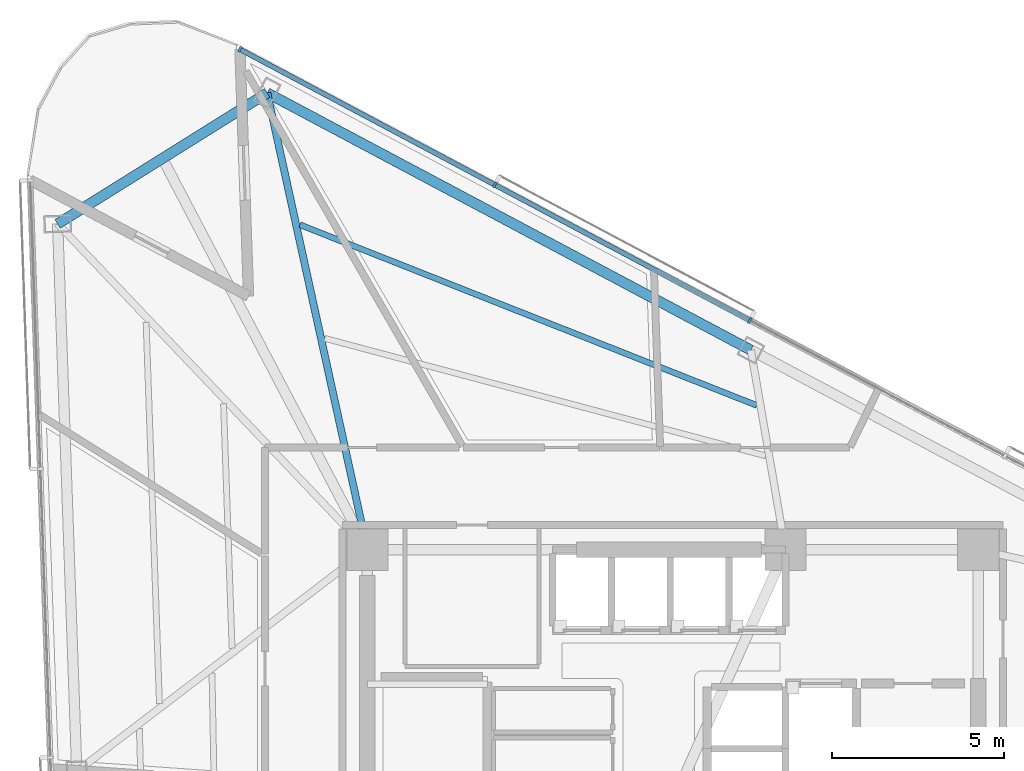
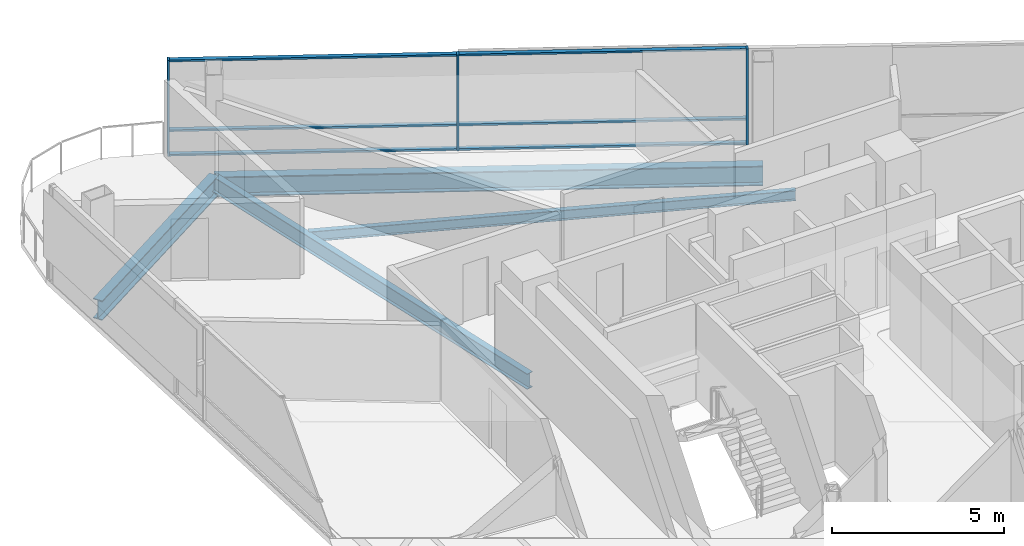
# One storey, part 9 of 20: 9 members, 4 beams, 1 element without a shape of its own.
"""IFC4 building model written with IfcOpenShell, lengths in metres."""

from ifc_helpers import new_model, si_unit, direction, frame, origin, origin_2d, place, context, subcontext, project, spatial, rectangle, i_section, extrude, material, layer, layer_set, material_profile, profile_set, type_object, element, aggregate, save


model = new_model("IFC4")

# Units and contexts
model_context = context("Model", 3, precision=1e-05, world=origin(), true_north=direction((0.0, 1.0)))
body_context = subcontext(model_context, "Body", "Model", "MODEL_VIEW")
ifc_project = project(units=[si_unit("LENGTHUNIT", "METRE"), si_unit("AREAUNIT", "SQUARE_METRE"), si_unit("VOLUMEUNIT", "CUBIC_METRE"), si_unit("PLANEANGLEUNIT", "RADIAN"), si_unit("MASSUNIT", "GRAM", prefix="KILO")], contexts=[model_context])

# Site, building, storey
site_placement = place(None, origin())
site = spatial("IfcSite", under=ifc_project, at=site_placement, CompositionType="ELEMENT")
building_placement = place(site_placement, origin())
building = spatial("IfcBuilding", under=site, at=building_placement, Name="Tharavind Bronze Gate", CompositionType="ELEMENT")
storey_placement = place(building_placement, frame((0.0, 0.0, 149.60009765625)))
storey = spatial("IfcBuildingStorey", under=building, at=storey_placement, Name="L38", CompositionType="ELEMENT", Elevation=149.60009765625)

# Curtain wall, members
ifc_material_1 = material(Name="Anodised Bronze Aluminium", Category="aluminium")
ifc_layer = layer(ifc_material_1, 0.219970703125)
ifc_layer_set = layer_set([ifc_layer], Name="Anodised Bronze Aluminium")
curtain_wall_type = type_object("IfcCurtainWallType", Name="UNITISED CURTAIN WALL MID OFFICE", PredefinedType="USERDEFINED", material=ifc_layer_set)
curtain_wall_placement = place(storey_placement, origin())
curtain_wall = element("IfcCurtainWall", 1, at=curtain_wall_placement, inside=storey, type_object=curtain_wall_type, Name="L38 unitised curtain wall mid office CW-L38-S3", ObjectType="UNITISED CURTAIN WALL", PredefinedType="USERDEFINED")
member_type_1 = type_object("IfcMemberType", Name="CURTAIN WALL BRONZE MULLION 65X180", PredefinedType="MULLION", material=ifc_material_1)
member_1_placement = place(storey_placement, frame((2.245361328125, 14.279052734375, 0.0), z_axis=(0.0, 0.0, 1.0), x_axis=(-0.882947592859, 0.469471562786, 0.0)))
member_1 = element("IfcMember", 2, at=member_1_placement, type_object=member_type_1, Name="CW-L38-S3 mullion 5", PredefinedType="MULLION", context=body_context, shape_type="SweptSolid", body=[
    extrude(rectangle(XDim=0.06494140625, YDim=0.179931640625, at=origin_2d()), origin(), (0.0, 0.0, 1.0), 3.409912109375),
])
member_2_placement = place(storey_placement, frame((-5.184326171875, 18.2294921875, 0.0), z_axis=(0.0, 0.0, 1.0), x_axis=(-0.882947592859, 0.469471562786, 0.0)))
member_2 = element("IfcMember", 3, at=member_2_placement, type_object=member_type_1, Name="CW-L38-S3 mullion 6", PredefinedType="MULLION", context=body_context, shape_type="SweptSolid", body=[
    extrude(rectangle(XDim=0.06494140625, YDim=0.179931640625, at=origin_2d()), origin(), (0.0, 0.0, 1.0), 3.409912109375),
])
member_3_placement = place(storey_placement, frame((-12.614013671875, 22.179931640625, 0.0), z_axis=(0.0, 0.0, 1.0), x_axis=(-0.882947592859, 0.469471562786, 0.0)))
member_3 = element("IfcMember", 4, at=member_3_placement, type_object=member_type_1, Name="CW-L38-S3 mullion 7", PredefinedType="MULLION", context=body_context, shape_type="SweptSolid", body=[
    extrude(rectangle(XDim=0.06494140625, YDim=0.179931640625, at=origin_2d()), origin(), (0.0, 0.0, 1.0), 3.409912109375),
])
member_type_2 = type_object("IfcMemberType", Name="CURTAIN WALL BRONZE TRANSOM 65X140", PredefinedType="USERDEFINED", material=ifc_material_1)
member_4_placement = place(storey_placement, frame((-1.469482421875, 16.25439453125, 0.0), z_axis=(0.0, 0.0, 1.0), x_axis=(-0.882947592859, 0.469471562786, 0.0)))
member_4 = element("IfcMember", 5, at=member_4_placement, type_object=member_type_2, Name="CW-L38-S3 transom TB5", ObjectType="TRANSOM", PredefinedType="USERDEFINED", context=body_context, shape_type="SweptSolid", body=[
    extrude(rectangle(XDim=8.361572265625, YDim=0.139892578125, at=origin_2d()), origin(), (0.0, 0.0, 1.0), 0.06494140625),
])
member_5_placement = place(storey_placement, frame((-1.469482421875, 16.25439453125, 0.867431640625), z_axis=(0.0, 0.0, 1.0), x_axis=(-0.882947592859, 0.469471562786, 0.0)))
member_5 = element("IfcMember", 6, at=member_5_placement, type_object=member_type_2, Name="CW-L38-S3 transom TS5", ObjectType="TRANSOM", PredefinedType="USERDEFINED", context=body_context, shape_type="SweptSolid", body=[
    extrude(rectangle(XDim=8.361572265625, YDim=0.139892578125, at=origin_2d()), origin(), (0.0, 0.0, 1.0), 0.06494140625),
])
member_6_placement = place(storey_placement, frame((-1.469482421875, 16.25439453125, 3.344970703125), z_axis=(0.0, 0.0, 1.0), x_axis=(-0.882947592859, 0.469471562786, 0.0)))
member_6 = element("IfcMember", 7, at=member_6_placement, type_object=member_type_2, Name="CW-L38-S3 transom TT5", ObjectType="TRANSOM", PredefinedType="USERDEFINED", context=body_context, shape_type="SweptSolid", body=[
    extrude(rectangle(XDim=8.361572265625, YDim=0.139892578125, at=origin_2d()), origin(), (0.0, 0.0, 1.0), 0.06494140625),
])
member_7_placement = place(storey_placement, frame((-8.899169921875, 20.20458984375, 0.0), z_axis=(0.0, 0.0, 1.0), x_axis=(-0.882947592859, 0.469471562786, 0.0)))
member_7 = element("IfcMember", 8, at=member_7_placement, type_object=member_type_2, Name="CW-L38-S3 transom TB6", ObjectType="TRANSOM", PredefinedType="USERDEFINED", context=body_context, shape_type="SweptSolid", body=[
    extrude(rectangle(XDim=8.361572265625, YDim=0.139892578125, at=origin_2d()), origin(), (0.0, 0.0, 1.0), 0.06494140625),
])
member_8_placement = place(storey_placement, frame((-8.899169921875, 20.20458984375, 0.867431640625), z_axis=(0.0, 0.0, 1.0), x_axis=(-0.882947592859, 0.469471562786, 0.0)))
member_8 = element("IfcMember", 9, at=member_8_placement, type_object=member_type_2, Name="CW-L38-S3 transom TS6", ObjectType="TRANSOM", PredefinedType="USERDEFINED", context=body_context, shape_type="SweptSolid", body=[
    extrude(rectangle(XDim=8.361572265625, YDim=0.139892578125, at=origin_2d()), origin(), (0.0, 0.0, 1.0), 0.06494140625),
])
member_9_placement = place(storey_placement, frame((-8.899169921875, 20.20458984375, 3.344970703125), z_axis=(0.0, 0.0, 1.0), x_axis=(-0.882947592859, 0.469471562786, 0.0)))
member_9 = element("IfcMember", 10, at=member_9_placement, type_object=member_type_2, Name="CW-L38-S3 transom TT6", ObjectType="TRANSOM", PredefinedType="USERDEFINED", context=body_context, shape_type="SweptSolid", body=[
    extrude(rectangle(XDim=8.361572265625, YDim=0.139892578125, at=origin_2d()), origin(), (0.0, 0.0, 1.0), 0.06494140625),
])
aggregate(curtain_wall, [member_1, member_2, member_3, member_4, member_5, member_6, member_7, member_8, member_9])

# Beams
ifc_material_2 = material(Name="Steel S355", Category="steel")
ifc_material_profile_1 = material_profile(ifc_material_2, i_section(OverallWidth=0.2099609375, OverallDepth=0.550048828125, WebThickness=0.010986328125, FlangeThickness=0.01708984375, at=origin_2d()), Name="IPE550")
ifc_profile_set_1 = profile_set([ifc_material_profile_1], Name="Steel S355")
beam_type_1 = type_object("IfcBeamType", Name="PRIMARY GIRDER IPE550", PredefinedType="USERDEFINED", material=ifc_profile_set_1)
beam_1_placement = place(storey_placement, frame((-11.819091796875, 20.90771484375, -0.465087890625), z_axis=(0.21426760531, -0.976774996258, 0.0), x_axis=(0.976774996258, 0.21426760531, 0.0)))
element("IfcBeam", 11, at=beam_1_placement, inside=storey, type_object=beam_type_1, Name="L38 primary girder ipe550 BM-L38-RAD12", ObjectType="GIRDER", PredefinedType="USERDEFINED", context=body_context, shape_type="SweptSolid", body=[
    extrude(i_section(OverallWidth=0.2099609375, OverallDepth=0.550048828125, WebThickness=0.010986328125, FlangeThickness=0.01708984375, at=origin_2d()), origin(), (0.0, 0.0, 1.0), 13.6240234375),
])
ifc_material_profile_2 = material_profile(ifc_material_2, i_section(OverallWidth=0.300048828125, OverallDepth=0.699951171875, WebThickness=0.01708984375, FlangeThickness=0.031982421875, at=origin_2d()), Name="HE700B")
ifc_profile_set_2 = profile_set([ifc_material_profile_2], Name="Steel S355")
beam_type_2 = type_object("IfcBeamType", Name="RING GIRDER HE700B", PredefinedType="USERDEFINED", material=ifc_profile_set_2)
beam_2_placement = place(storey_placement, frame((2.275634765625, 13.41357421875, -0.5400390625), z_axis=(-0.882951706672, 0.469463825747, 0.0), x_axis=(-0.469463825747, -0.882951706672, 0.0)))
element("IfcBeam", 12, at=beam_2_placement, inside=storey, type_object=beam_type_2, Name="L38 ring girder he700b BM-L38-PRG11", ObjectType="GIRDER", PredefinedType="USERDEFINED", context=body_context, shape_type="SweptSolid", body=[
    extrude(i_section(OverallWidth=0.300048828125, OverallDepth=0.699951171875, WebThickness=0.01708984375, FlangeThickness=0.031982421875, at=origin_2d()), origin(), (0.0, 0.0, 1.0), 15.963134765625),
])
beam_3_placement = place(storey_placement, frame((-11.819091796875, 20.90771484375, -0.5400390625), z_axis=(-0.848038306973, -0.52993492988, 0.0), x_axis=(0.52993492988, -0.848038306973, 0.0)))
element("IfcBeam", 13, at=beam_3_placement, inside=storey, type_object=beam_type_2, Name="L38 ring girder he700b BM-L38-PRG12", ObjectType="GIRDER", PredefinedType="USERDEFINED", context=body_context, shape_type="SweptSolid", body=[
    extrude(i_section(OverallWidth=0.300048828125, OverallDepth=0.699951171875, WebThickness=0.01708984375, FlangeThickness=0.031982421875, at=origin_2d()), origin(), (0.0, 0.0, 1.0), 7.19970703125),
])
ifc_material_profile_3 = material_profile(ifc_material_2, i_section(OverallWidth=0.169921875, OverallDepth=0.360107421875, WebThickness=0.008056640625, FlangeThickness=0.0126953125, at=origin_2d()), Name="IPE360")
ifc_profile_set_3 = profile_set([ifc_material_profile_3], Name="Steel S355")
beam_type_3 = type_object("IfcBeamType", Name="SECONDARY FLOOR JOIST IPE360", PredefinedType="JOIST", material=ifc_profile_set_3)
beam_4_placement = place(storey_placement, frame((2.44384765625, 11.803466796875, -0.3701171875), z_axis=(-0.929918939499, 0.367764552344, 0.0), x_axis=(-0.367764552344, -0.929918939499, 0.0)))
element("IfcBeam", 14, at=beam_4_placement, inside=storey, type_object=beam_type_3, Name="L38 secondary floor joist ipe360 BM-L38-JSTB11", PredefinedType="JOIST", context=body_context, shape_type="SweptSolid", body=[
    extrude(i_section(OverallWidth=0.169921875, OverallDepth=0.360107421875, WebThickness=0.008056640625, FlangeThickness=0.0126953125, at=origin_2d()), origin(), (0.0, 0.0, 1.0), 14.3125),
])

save(model, "model.ifc")
